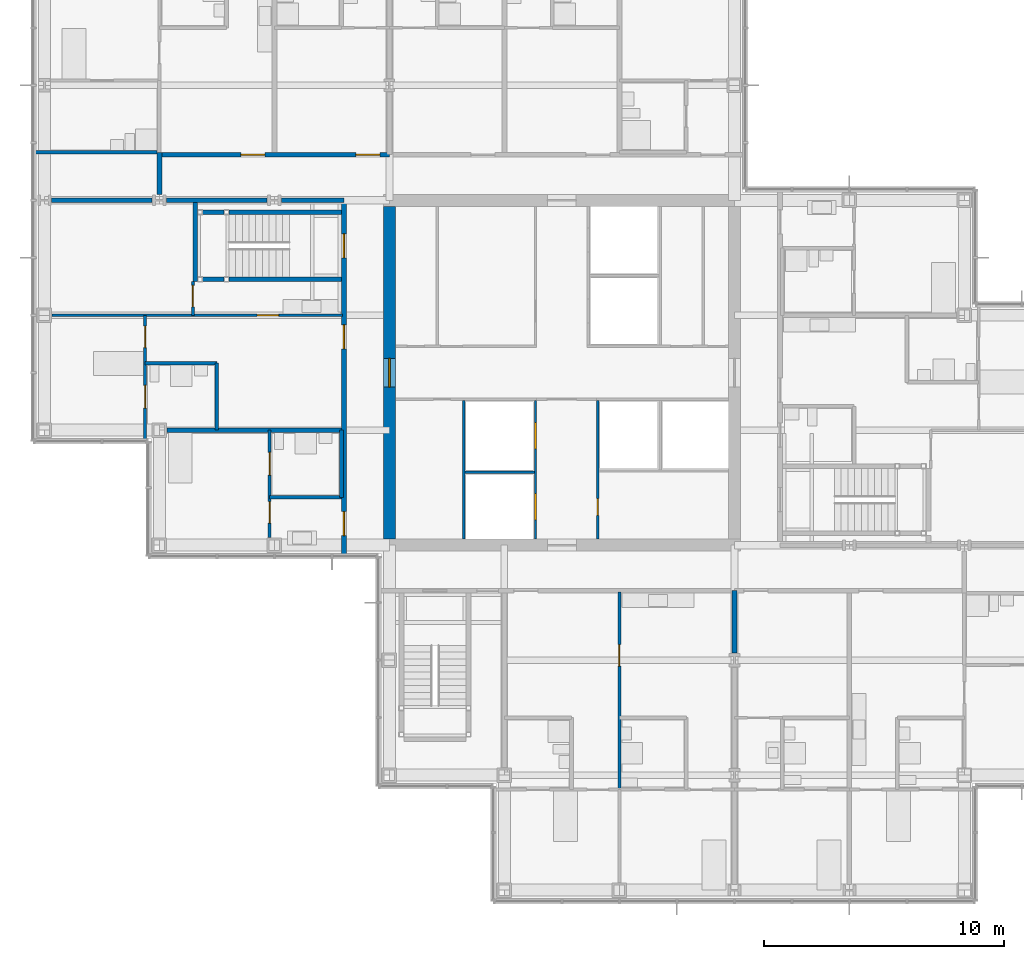
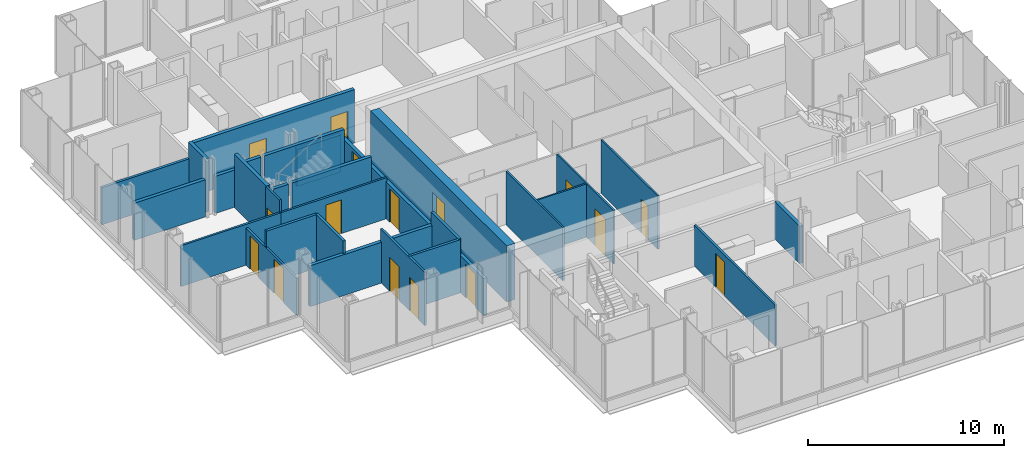
# One storey, part 14 of 20: 29 walls, 16 doors, 16 openings.
"""IFC4 building model written with IfcOpenShell, lengths in metres."""

from ifc_helpers import new_model, si_unit, direction, frame, frame_2d, origin, place, context, subcontext, project, spatial, rectangle, extrude, material, layer, layer_set, type_object, element, fill, save


model = new_model("IFC4")

# Units and contexts
model_context = context("Model", 3, precision=1e-05, world=origin(), true_north=direction((0.0, 1.0)))
body_context = subcontext(model_context, "Body", "Model", "MODEL_VIEW")
ifc_project = project(units=[si_unit("LENGTHUNIT", "METRE"), si_unit("AREAUNIT", "SQUARE_METRE"), si_unit("VOLUMEUNIT", "CUBIC_METRE"), si_unit("PLANEANGLEUNIT", "RADIAN"), si_unit("MASSUNIT", "GRAM", prefix="KILO")], contexts=[model_context])

# Site, building, storey
site_placement = place(None, origin())
site = spatial("IfcSite", under=ifc_project, at=site_placement, CompositionType="ELEMENT")
building_placement = place(site_placement, origin())
building = spatial("IfcBuilding", under=site, at=building_placement, Name="Kvirike Care Tower", CompositionType="ELEMENT")
storey_placement = place(building_placement, frame((0.0, 0.0, 115.5)))
storey = spatial("IfcBuildingStorey", under=building, at=storey_placement, Name="L31", CompositionType="ELEMENT", Elevation=115.5)

# Walls
ifc_material_1 = material(Name="Moisture-resistant board partition", Category="gypsum")
ifc_layer_1 = layer(ifc_material_1, 0.14990234375)
ifc_layer_set_1 = layer_set([ifc_layer_1], Name="BATHROOM WALL 150")
wall_type_1 = type_object("IfcWallType", Name="BATHROOM WALL 150", PredefinedType="PARTITIONING", material=ifc_layer_set_1)
wall_1_placement = place(storey_placement, frame((4.199951171875, 36.39990234375, 0.0), z_axis=(0.0, 0.0, 1.0), x_axis=(1.0, 0.0, 0.0)))
element("IfcWall", 1, at=wall_1_placement, inside=storey, type_object=wall_type_1, Name="Bathroom Wall 150 L31", PredefinedType="PARTITIONING", context=body_context, shape_type="SweptSolid", body=[
    extrude(rectangle(XDim=3.0, YDim=0.14990234375, at=frame_2d((1.5, 0.0))), origin(), (0.0, 0.0, 1.0), 3.330078125),
])
wall_2_placement = place(storey_placement, frame((7.199951171875, 36.39990234375, 0.0), z_axis=(0.0, 0.0, 1.0), x_axis=(0.0, -1.0, 0.0)))
element("IfcWall", 2, at=wall_2_placement, inside=storey, type_object=wall_type_1, Name="Bathroom Wall 150 L31", PredefinedType="PARTITIONING", context=body_context, shape_type="SweptSolid", body=[
    extrude(rectangle(XDim=2.7998046875, YDim=0.14990234375, at=frame_2d((1.39990234375, 0.0))), origin(), (0.0, 0.0, 1.0), 3.330078125),
])
wall_3_placement = place(storey_placement, frame((9.39990234375, 30.800048828125, 0.0), z_axis=(0.0, 0.0, 1.0), x_axis=(1.0, 0.0, 0.0)))
element("IfcWall", 3, at=wall_3_placement, inside=storey, type_object=wall_type_1, Name="Bathroom Wall 150 L31", PredefinedType="PARTITIONING", context=body_context, shape_type="SweptSolid", body=[
    extrude(rectangle(XDim=3.0, YDim=0.14990234375, at=frame_2d((1.5, 0.0))), origin(), (0.0, 0.0, 1.0), 3.330078125),
])
wall_4_placement = place(storey_placement, frame((12.39990234375, 33.60009765625, 0.0), z_axis=(0.0, 0.0, 1.0), x_axis=(0.0, -1.0, 0.0)))
element("IfcWall", 4, at=wall_4_placement, inside=storey, type_object=wall_type_1, Name="Bathroom Wall 150 L31", PredefinedType="PARTITIONING", context=body_context, shape_type="SweptSolid", body=[
    extrude(rectangle(XDim=2.800048828125, YDim=0.14990234375, at=frame_2d((1.39990234375, 0.0))), origin(), (0.0, 0.0, 1.0), 3.330078125),
])
wall_5_placement = place(storey_placement, frame((4.699951171875, 45.199951171875, 0.0), z_axis=(0.0, 0.0, 1.0), x_axis=(-1.0, 0.0, 0.0)))
element("IfcWall", 5, at=wall_5_placement, inside=storey, type_object=wall_type_1, Name="Bathroom Wall 150 L31", PredefinedType="PARTITIONING", context=body_context, shape_type="SweptSolid", body=[
    extrude(rectangle(XDim=5.139892578125, YDim=0.14990234375, at=frame_2d((2.56982421875, 0.0))), origin(), (0.0, 0.0, 1.0), 2.320068359375),
])

# Wall, opening, door
ifc_material_2 = material(Name="Concrete C50/60", Category="concrete")
ifc_layer_2 = layer(ifc_material_2, 0.5)
ifc_layer_set_2 = layer_set([ifc_layer_2], Name="CORE WALL 500 C50-60")
wall_type_2 = type_object("IfcWallType", Name="CORE WALL 500 C50-60", PredefinedType="SHEAR", material=ifc_layer_set_2)
wall_6_placement = place(storey_placement, frame((14.39990234375, 42.949951171875, -0.169921875), z_axis=(0.0, 0.0, 1.0), x_axis=(0.0, -1.0, 0.0)))
wall_6 = element("IfcWall", 6, at=wall_6_placement, inside=storey, type_object=wall_type_2, Name="Core wall W L31", PredefinedType="SHEAR", context=body_context, shape_type="SweptSolid", body=[
    extrude(rectangle(XDim=13.89990234375, YDim=0.5, at=frame_2d((6.949951171875, 0.0))), origin(), (0.0, 0.0, 1.0), 3.5),
])
opening_1_placement = place(wall_6_placement, frame((6.35009765625, 0.0, 0.169921875)))
opening_1 = element("IfcOpeningElement", 7, at=opening_1_placement, cuts=wall_6, Name="Opening 31-069", PredefinedType="OPENING", context=body_context, shape_type="SweptSolid", body=[
    extrude(rectangle(XDim=1.199951171875, YDim=2.10009765625, at=frame_2d((0.60009765625, 1.050048828125))), frame((0.0, 0.260498046875, 0.0), z_axis=(0.0, -1.0, 0.0), x_axis=(1.0, 0.0, 0.0)), (0.0, 0.0, 1.0), 0.52099609375),
])
ifc_material_3 = material(Name="Timber door set", Category="wood")
door_type_1 = type_object("IfcDoorType", Name="CORE DOOR 1200", OperationType="SINGLE_SWING_LEFT", PredefinedType="DOOR", material=ifc_material_3)
door_1_placement = place(opening_1_placement, origin())
door_1 = element("IfcDoor", 8, at=door_1_placement, inside=storey, type_object=door_type_1, Name="Core door W L31", OperationType="SINGLE_SWING_LEFT", OverallHeight=2.10009765625, OverallWidth=1.199951171875, PredefinedType="DOOR", context=body_context, shape_type="SweptSolid", body=[
    extrude(rectangle(XDim=1.199951171875, YDim=2.10009765625, at=frame_2d((0.60009765625, 1.050048828125))), frame((0.0, 0.02685546875, 0.0), z_axis=(0.0, -1.0, 0.0), x_axis=(1.0, 0.0, 0.0)), (0.0, 0.0, 1.0), 0.053955078125),
])
fill(opening_1, door_1)

# Wall, openings, doors
ifc_material_4 = material(Name="Plasterboard corridor wall", Category="gypsum")
ifc_layer_3 = layer(ifc_material_4, 0.199951171875)
ifc_layer_set_3 = layer_set([ifc_layer_3], Name="CORRIDOR WALL 200")
wall_type_3 = type_object("IfcWallType", Name="CORRIDOR WALL 200", PredefinedType="PARTITIONING", material=ifc_layer_set_3)
wall_7_placement = place(storey_placement, frame((12.5, 43.199951171875, 0.0), z_axis=(0.0, 0.0, 1.0), x_axis=(0.0, -1.0, 0.0)))
wall_7 = element("IfcWall", 9, at=wall_7_placement, inside=storey, type_object=wall_type_3, Name="Corridor Wall 200 L31", PredefinedType="PARTITIONING", context=body_context, shape_type="SweptSolid", body=[
    extrude(rectangle(XDim=14.83984375, YDim=0.199951171875, at=frame_2d((7.419921875, 0.0))), origin(), (0.0, 0.0, 1.0), 2.320068359375),
])
opening_2_placement = place(wall_7_placement, frame((1.39990234375, 0.0, 0.0)))
opening_2 = element("IfcOpeningElement", 10, at=opening_2_placement, cuts=wall_7, Name="Opening 31-007", PredefinedType="OPENING", context=body_context, shape_type="SweptSolid", body=[
    extrude(rectangle(XDim=1.0, YDim=2.10009765625, at=frame_2d((0.5, 1.050048828125))), frame((0.0, 0.110595703125, 0.0), z_axis=(0.0, -1.0, 0.0), x_axis=(1.0, 0.0, 0.0)), (0.0, 0.0, 1.0), 0.220947265625),
])
opening_3_placement = place(wall_7_placement, frame((5.199951171875, 0.0, 0.0)))
opening_3 = element("IfcOpeningElement", 11, at=opening_3_placement, cuts=wall_7, Name="Opening 31-008", PredefinedType="OPENING", context=body_context, shape_type="SweptSolid", body=[
    extrude(rectangle(XDim=1.0, YDim=2.10009765625, at=frame_2d((0.5, 1.050048828125))), frame((0.0, 0.110595703125, 0.0), z_axis=(0.0, -1.0, 0.0), x_axis=(1.0, 0.0, 0.0)), (0.0, 0.0, 1.0), 0.220947265625),
])
opening_4_placement = place(wall_7_placement, frame((13.0, 0.0, 0.0)))
opening_4 = element("IfcOpeningElement", 12, at=opening_4_placement, cuts=wall_7, Name="Opening 31-009", PredefinedType="OPENING", context=body_context, shape_type="SweptSolid", body=[
    extrude(rectangle(XDim=1.0, YDim=2.10009765625, at=frame_2d((0.5, 1.050048828125))), frame((0.0, 0.110595703125, 0.0), z_axis=(0.0, -1.0, 0.0), x_axis=(1.0, 0.0, 0.0)), (0.0, 0.0, 1.0), 0.220947265625),
])
ifc_material_5 = material(Name="Timber door set", Category="wood")
door_type_2 = type_object("IfcDoorType", Name="FLAT ENTRANCE DOOR 1000", OperationType="SINGLE_SWING_LEFT", PredefinedType="DOOR", material=ifc_material_5)
door_2_placement = place(opening_3_placement, frame((1.0, 0.0, 0.0), z_axis=(0.0, 0.0, 1.0), x_axis=(-1.0, 0.0, 0.0)))
door_2 = element("IfcDoor", 13, at=door_2_placement, inside=storey, type_object=door_type_2, Name="Assisted living suite entrance", OperationType="SINGLE_SWING_LEFT", OverallHeight=2.10009765625, OverallWidth=1.0, PredefinedType="DOOR", context=body_context, shape_type="SweptSolid", body=[
    extrude(rectangle(XDim=1.0, YDim=2.10009765625, at=frame_2d((0.5, 1.050048828125))), frame((0.0, 0.02685546875, 0.0), z_axis=(0.0, -1.0, 0.0), x_axis=(1.0, 0.0, 0.0)), (0.0, 0.0, 1.0), 0.053955078125),
])
fill(opening_3, door_2)
door_3_placement = place(opening_4_placement, frame((1.0, 0.0, 0.0), z_axis=(0.0, 0.0, 1.0), x_axis=(-1.0, 0.0, 0.0)))
door_3 = element("IfcDoor", 14, at=door_3_placement, inside=storey, type_object=door_type_2, Name="Assisted living suite entrance", OperationType="SINGLE_SWING_RIGHT", OverallHeight=2.10009765625, OverallWidth=1.0, PredefinedType="DOOR", context=body_context, shape_type="SweptSolid", body=[
    extrude(rectangle(XDim=1.0, YDim=2.10009765625, at=frame_2d((0.5, 1.050048828125))), frame((0.0, 0.02685546875, 0.0), z_axis=(0.0, -1.0, 0.0), x_axis=(1.0, 0.0, 0.0)), (0.0, 0.0, 1.0), 0.053955078125),
])
fill(opening_4, door_3)
ifc_material_6 = material(Name="Timber door set", Category="wood")
door_type_3 = type_object("IfcDoorType", Name="STAIR DOOR 1000", OperationType="SINGLE_SWING_LEFT", PredefinedType="DOOR", material=ifc_material_6)
door_4_placement = place(opening_2_placement, frame((1.0, 0.0, 0.0), z_axis=(0.0, 0.0, 1.0), x_axis=(-1.0, 0.0, 0.0)))
door_4 = element("IfcDoor", 15, at=door_4_placement, inside=storey, type_object=door_type_3, Name="Stair 1 door", OperationType="SINGLE_SWING_LEFT", OverallHeight=2.10009765625, OverallWidth=1.0, PredefinedType="DOOR", context=body_context, shape_type="SweptSolid", body=[
    extrude(rectangle(XDim=1.0, YDim=2.10009765625, at=frame_2d((0.5, 1.050048828125))), frame((0.0, 0.031982421875, 0.0), z_axis=(0.0, -1.0, 0.0), x_axis=(1.0, 0.0, 0.0)), (0.0, 0.0, 1.0), 0.06396484375),
])
fill(opening_2, door_4)

wall_8_placement = place(storey_placement, frame((14.39990234375, 45.10009765625, 0.0), z_axis=(0.0, 0.0, 1.0), x_axis=(-1.0, 0.0, 0.0)))
wall_8 = element("IfcWall", 16, at=wall_8_placement, inside=storey, type_object=wall_type_3, Name="Corridor Wall 200 L31", PredefinedType="PARTITIONING", context=body_context, shape_type="SweptSolid", body=[
    extrude(rectangle(XDim=9.599853515625, YDim=0.199951171875, at=frame_2d((4.7998046875, 0.0))), origin(), (0.0, 0.0, 1.0), 3.330078125),
])
opening_5_placement = place(wall_8_placement, frame((0.39990234375, 0.0, 0.0)))
opening_5 = element("IfcOpeningElement", 17, at=opening_5_placement, cuts=wall_8, Name="Opening 31-017", PredefinedType="OPENING", context=body_context, shape_type="SweptSolid", body=[
    extrude(rectangle(XDim=1.0, YDim=2.10009765625, at=frame_2d((0.5, 1.050048828125))), frame((0.0, 0.110595703125, 0.0), z_axis=(0.0, -1.0, 0.0), x_axis=(1.0, 0.0, 0.0)), (0.0, 0.0, 1.0), 0.220947265625),
])
opening_6_placement = place(wall_8_placement, frame((5.199951171875, 0.0, 0.0)))
opening_6 = element("IfcOpeningElement", 18, at=opening_6_placement, cuts=wall_8, Name="Opening 31-018", PredefinedType="OPENING", context=body_context, shape_type="SweptSolid", body=[
    extrude(rectangle(XDim=1.0, YDim=2.10009765625, at=frame_2d((0.5, 1.050048828125))), frame((0.0, 0.110595703125, 0.0), z_axis=(0.0, -1.0, 0.0), x_axis=(1.0, 0.0, 0.0)), (0.0, 0.0, 1.0), 0.220947265625),
])
door_5_placement = place(opening_5_placement, frame((1.0, 0.0, 0.0), z_axis=(0.0, 0.0, 1.0), x_axis=(-1.0, 0.0, 0.0)))
door_5 = element("IfcDoor", 19, at=door_5_placement, inside=storey, type_object=door_type_2, Name="Assisted living suite entrance", OperationType="SINGLE_SWING_LEFT", OverallHeight=2.10009765625, OverallWidth=1.0, PredefinedType="DOOR", context=body_context, shape_type="SweptSolid", body=[
    extrude(rectangle(XDim=1.0, YDim=2.10009765625, at=frame_2d((0.5, 1.050048828125))), frame((0.0, 0.02685546875, 0.0), z_axis=(0.0, -1.0, 0.0), x_axis=(1.0, 0.0, 0.0)), (0.0, 0.0, 1.0), 0.053955078125),
])
fill(opening_5, door_5)
door_6_placement = place(opening_6_placement, frame((1.0, 0.0, 0.0), z_axis=(0.0, 0.0, 1.0), x_axis=(-1.0, 0.0, 0.0)))
door_6 = element("IfcDoor", 20, at=door_6_placement, inside=storey, type_object=door_type_2, Name="Two-bedroom assisted living suite entrance", OperationType="SINGLE_SWING_LEFT", OverallHeight=2.10009765625, OverallWidth=1.0, PredefinedType="DOOR", context=body_context, shape_type="SweptSolid", body=[
    extrude(rectangle(XDim=1.0, YDim=2.10009765625, at=frame_2d((0.5, 1.050048828125))), frame((0.0, 0.02685546875, 0.0), z_axis=(0.0, -1.0, 0.0), x_axis=(1.0, 0.0, 0.0)), (0.0, 0.0, 1.0), 0.053955078125),
])
fill(opening_6, door_6)

# Wall
wall_9_placement = place(storey_placement, frame((4.800048828125, 45.199951171875, 0.0), z_axis=(0.0, 0.0, 1.0), x_axis=(0.0, -1.0, 0.0)))
element("IfcWall", 21, at=wall_9_placement, inside=storey, type_object=wall_type_3, Name="Corridor Wall 200 L31", PredefinedType="PARTITIONING", context=body_context, shape_type="SweptSolid", body=[
    extrude(rectangle(XDim=1.7529296875, YDim=0.199951171875, at=frame_2d((0.87646484375, 0.0))), origin(), (0.0, 0.0, 1.0), 3.330078125),
])

# Wall, opening, door
ifc_material_7 = material(Name="Plasterboard partition", Category="gypsum")
ifc_layer_4 = layer(ifc_material_7, 0.1201171875)
ifc_layer_set_4 = layer_set([ifc_layer_4], Name="PARTITION 120")
wall_type_4 = type_object("IfcWallType", Name="PARTITION 120", PredefinedType="PARTITIONING", material=ifc_layer_set_4)
wall_10_placement = place(storey_placement, frame((6.199951171875, 38.39990234375, 0.0), z_axis=(0.0, 0.0, 1.0), x_axis=(1.0, 0.0, 0.0)))
wall_10 = element("IfcWall", 22, at=wall_10_placement, inside=storey, type_object=wall_type_4, Name="Partition 120 L31", PredefinedType="PARTITIONING", context=body_context, shape_type="SweptSolid", body=[
    extrude(rectangle(XDim=6.25, YDim=0.1201171875, at=frame_2d((3.125, 0.0))), origin(), (0.0, 0.0, 1.0), 2.550048828125),
])
opening_7_placement = place(wall_10_placement, frame((2.675048828125, 0.0, 0.0)))
opening_7 = element("IfcOpeningElement", 23, at=opening_7_placement, cuts=wall_10, Name="Opening 31-001", PredefinedType="OPENING", context=body_context, shape_type="SweptSolid", body=[
    extrude(rectangle(XDim=0.89990234375, YDim=2.10009765625, at=frame_2d((0.449951171875, 1.050048828125))), frame((0.0, 0.070556640625, 0.0), z_axis=(0.0, -1.0, 0.0), x_axis=(1.0, 0.0, 0.0)), (0.0, 0.0, 1.0), 0.14111328125),
])
ifc_material_8 = material(Name="Timber door set", Category="wood")
door_type_4 = type_object("IfcDoorType", Name="INTERNAL DOOR 900", OperationType="SINGLE_SWING_LEFT", PredefinedType="DOOR", material=ifc_material_8)
door_7_placement = place(opening_7_placement, origin())
door_7 = element("IfcDoor", 24, at=door_7_placement, inside=storey, type_object=door_type_4, Name="Hall door", OperationType="SINGLE_SWING_RIGHT", OverallHeight=2.10009765625, OverallWidth=0.89990234375, PredefinedType="DOOR", context=body_context, shape_type="SweptSolid", body=[
    extrude(rectangle(XDim=0.89990234375, YDim=2.10009765625, at=frame_2d((0.449951171875, 1.050048828125))), frame((0.0, 0.02197265625, 0.0), z_axis=(0.0, -1.0, 0.0), x_axis=(1.0, 0.0, 0.0)), (0.0, 0.0, 1.0), 0.0439453125),
])
fill(opening_7, door_7)

wall_11_placement = place(storey_placement, frame((6.199951171875, 39.800048828125, 0.0), z_axis=(0.0, 0.0, 1.0), x_axis=(0.0, -1.0, 0.0)))
wall_11 = element("IfcWall", 25, at=wall_11_placement, inside=storey, type_object=wall_type_4, Name="Partition 120 L31", PredefinedType="PARTITIONING", context=body_context, shape_type="SweptSolid", body=[
    extrude(rectangle(XDim=1.400146484375, YDim=0.1201171875, at=frame_2d((0.7001953125, 0.0))), origin(), (0.0, 0.0, 1.0), 3.330078125),
])
opening_8_placement = place(wall_11_placement, frame((0.14990234375, 0.0, 0.0)))
opening_8 = element("IfcOpeningElement", 26, at=opening_8_placement, cuts=wall_11, Name="Opening 31-002", PredefinedType="OPENING", context=body_context, shape_type="SweptSolid", body=[
    extrude(rectangle(XDim=0.89990234375, YDim=2.10009765625, at=frame_2d((0.449951171875, 1.050048828125))), frame((0.0, 0.070556640625, 0.0), z_axis=(0.0, -1.0, 0.0), x_axis=(1.0, 0.0, 0.0)), (0.0, 0.0, 1.0), 0.14111328125),
])
door_8_placement = place(opening_8_placement, origin())
door_8 = element("IfcDoor", 27, at=door_8_placement, inside=storey, type_object=door_type_4, Name="Suite sitting room door", OperationType="SINGLE_SWING_RIGHT", OverallHeight=2.10009765625, OverallWidth=0.89990234375, PredefinedType="DOOR", context=body_context, shape_type="SweptSolid", body=[
    extrude(rectangle(XDim=0.89990234375, YDim=2.10009765625, at=frame_2d((0.449951171875, 1.050048828125))), frame((0.0, 0.02197265625, 0.0), z_axis=(0.0, -1.0, 0.0), x_axis=(1.0, 0.0, 0.0)), (0.0, 0.0, 1.0), 0.0439453125),
])
fill(opening_8, door_8)

# Wall, openings, doors
wall_12_placement = place(storey_placement, frame((4.199951171875, 38.39990234375, 0.0), z_axis=(0.0, 0.0, 1.0), x_axis=(0.0, -1.0, 0.0)))
wall_12 = element("IfcWall", 28, at=wall_12_placement, inside=storey, type_object=wall_type_4, Name="Partition 120 L31", PredefinedType="PARTITIONING", context=body_context, shape_type="SweptSolid", body=[
    extrude(rectangle(XDim=5.239990234375, YDim=0.1201171875, at=frame_2d((2.6201171875, 0.0))), origin(), (0.0, 0.0, 1.0), 2.320068359375),
])
opening_9_placement = place(wall_12_placement, frame((0.449951171875, 0.0, 0.0)))
opening_9 = element("IfcOpeningElement", 29, at=opening_9_placement, cuts=wall_12, Name="Opening 31-003", PredefinedType="OPENING", context=body_context, shape_type="SweptSolid", body=[
    extrude(rectangle(XDim=0.89990234375, YDim=2.10009765625, at=frame_2d((0.449951171875, 1.050048828125))), frame((0.0, 0.070556640625, 0.0), z_axis=(0.0, -1.0, 0.0), x_axis=(1.0, 0.0, 0.0)), (0.0, 0.0, 1.0), 0.14111328125),
])
opening_10_placement = place(wall_12_placement, frame((2.925048828125, 0.0, 0.0)))
opening_10 = element("IfcOpeningElement", 30, at=opening_10_placement, cuts=wall_12, Name="Opening 31-004", PredefinedType="OPENING", context=body_context, shape_type="SweptSolid", body=[
    extrude(rectangle(XDim=0.949951171875, YDim=2.10009765625, at=frame_2d((0.47509765625, 1.050048828125))), frame((0.0, 0.070556640625, 0.0), z_axis=(0.0, -1.0, 0.0), x_axis=(1.0, 0.0, 0.0)), (0.0, 0.0, 1.0), 0.14111328125),
])
ifc_material_9 = material(Name="Timber door set", Category="wood")
door_type_5 = type_object("IfcDoorType", Name="EN-SUITE SLIDING DOOR 950", OperationType="SLIDING_TO_LEFT", PredefinedType="DOOR", material=ifc_material_9)
door_9_placement = place(opening_10_placement, origin())
door_9 = element("IfcDoor", 31, at=door_9_placement, inside=storey, type_object=door_type_5, Name="En-suite door", OperationType="SLIDING_TO_RIGHT", OverallHeight=2.10009765625, OverallWidth=0.949951171875, PredefinedType="DOOR", context=body_context, shape_type="SweptSolid", body=[
    extrude(rectangle(XDim=0.949951171875, YDim=2.10009765625, at=frame_2d((0.47509765625, 1.050048828125))), frame((0.0, 0.02197265625, 0.0), z_axis=(0.0, -1.0, 0.0), x_axis=(1.0, 0.0, 0.0)), (0.0, 0.0, 1.0), 0.0439453125),
])
fill(opening_10, door_9)
door_10_placement = place(opening_9_placement, frame((0.89990234375, 0.0, 0.0), z_axis=(0.0, 0.0, 1.0), x_axis=(-1.0, 0.0, 0.0)))
door_10 = element("IfcDoor", 32, at=door_10_placement, inside=storey, type_object=door_type_4, Name="Assisted living suite door", OperationType="SINGLE_SWING_LEFT", OverallHeight=2.10009765625, OverallWidth=0.89990234375, PredefinedType="DOOR", context=body_context, shape_type="SweptSolid", body=[
    extrude(rectangle(XDim=0.89990234375, YDim=2.10009765625, at=frame_2d((0.449951171875, 1.050048828125))), frame((0.0, 0.02197265625, 0.0), z_axis=(0.0, -1.0, 0.0), x_axis=(1.0, 0.0, 0.0)), (0.0, 0.0, 1.0), 0.0439453125),
])
fill(opening_9, door_10)

# Wall
wall_13_placement = place(storey_placement, frame((0.320068359375, 38.39990234375, 0.0), z_axis=(0.0, 0.0, 1.0), x_axis=(1.0, 0.0, 0.0)))
element("IfcWall", 33, at=wall_13_placement, inside=storey, type_object=wall_type_4, Name="Partition 120 L31", PredefinedType="PARTITIONING", context=body_context, shape_type="SweptSolid", body=[
    extrude(rectangle(XDim=5.8798828125, YDim=0.1201171875, at=frame_2d((2.93994140625, 0.0))), origin(), (0.0, 0.0, 1.0), 2.550048828125),
])

# Wall, openings, doors
wall_14_placement = place(storey_placement, frame((9.39990234375, 33.60009765625, 0.0), z_axis=(0.0, 0.0, 1.0), x_axis=(0.0, -1.0, 0.0)))
wall_14 = element("IfcWall", 34, at=wall_14_placement, inside=storey, type_object=wall_type_4, Name="Partition 120 L31", PredefinedType="PARTITIONING", context=body_context, shape_type="SweptSolid", body=[
    extrude(rectangle(XDim=4.47998046875, YDim=0.1201171875, at=frame_2d((2.239990234375, 0.0))), origin(), (0.0, 0.0, 1.0), 3.330078125),
])
opening_11_placement = place(wall_14_placement, frame((2.97509765625, 0.0, 0.0)))
opening_11 = element("IfcOpeningElement", 35, at=opening_11_placement, cuts=wall_14, Name="Opening 31-005", PredefinedType="OPENING", context=body_context, shape_type="SweptSolid", body=[
    extrude(rectangle(XDim=0.89990234375, YDim=2.10009765625, at=frame_2d((0.449951171875, 1.050048828125))), frame((0.0, 0.070556640625, 0.0), z_axis=(0.0, -1.0, 0.0), x_axis=(1.0, 0.0, 0.0)), (0.0, 0.0, 1.0), 0.14111328125),
])
opening_12_placement = place(wall_14_placement, frame((0.925048828125, 0.0, 0.0)))
opening_12 = element("IfcOpeningElement", 36, at=opening_12_placement, cuts=wall_14, Name="Opening 31-006", PredefinedType="OPENING", context=body_context, shape_type="SweptSolid", body=[
    extrude(rectangle(XDim=0.949951171875, YDim=2.10009765625, at=frame_2d((0.47509765625, 1.050048828125))), frame((0.0, 0.070556640625, 0.0), z_axis=(0.0, -1.0, 0.0), x_axis=(1.0, 0.0, 0.0)), (0.0, 0.0, 1.0), 0.14111328125),
])
door_11_placement = place(opening_12_placement, origin())
door_11 = element("IfcDoor", 37, at=door_11_placement, inside=storey, type_object=door_type_5, Name="En-suite door", OperationType="SLIDING_TO_LEFT", OverallHeight=2.10009765625, OverallWidth=0.949951171875, PredefinedType="DOOR", context=body_context, shape_type="SweptSolid", body=[
    extrude(rectangle(XDim=0.949951171875, YDim=2.10009765625, at=frame_2d((0.47509765625, 1.050048828125))), frame((0.0, 0.02197265625, 0.0), z_axis=(0.0, -1.0, 0.0), x_axis=(1.0, 0.0, 0.0)), (0.0, 0.0, 1.0), 0.0439453125),
])
fill(opening_12, door_11)
door_12_placement = place(opening_11_placement, origin())
door_12 = element("IfcDoor", 38, at=door_12_placement, inside=storey, type_object=door_type_4, Name="Assisted living suite door", OperationType="SINGLE_SWING_RIGHT", OverallHeight=2.10009765625, OverallWidth=0.89990234375, PredefinedType="DOOR", context=body_context, shape_type="SweptSolid", body=[
    extrude(rectangle(XDim=0.89990234375, YDim=2.10009765625, at=frame_2d((0.449951171875, 1.050048828125))), frame((0.0, 0.02197265625, 0.0), z_axis=(0.0, -1.0, 0.0), x_axis=(1.0, 0.0, 0.0)), (0.0, 0.0, 1.0), 0.0439453125),
])
fill(opening_11, door_12)

# Wall, opening, door
wall_15_placement = place(storey_placement, frame((24.0, 18.60009765625, 0.0), z_axis=(0.0, 0.0, 1.0), x_axis=(0.0, 1.0, 0.0)))
wall_15 = element("IfcWall", 39, at=wall_15_placement, inside=storey, type_object=wall_type_4, Name="Partition 120 L31", PredefinedType="PARTITIONING", context=body_context, shape_type="SweptSolid", body=[
    extrude(rectangle(XDim=8.25, YDim=0.1201171875, at=frame_2d((4.125, 0.0))), origin(), (0.0, 0.0, 1.0), 2.550048828125),
])
opening_13_placement = place(wall_15_placement, frame((5.14990234375, 0.0, 0.0)))
opening_13 = element("IfcOpeningElement", 40, at=opening_13_placement, cuts=wall_15, Name="Opening 31-019", PredefinedType="OPENING", context=body_context, shape_type="SweptSolid", body=[
    extrude(rectangle(XDim=0.89990234375, YDim=2.10009765625, at=frame_2d((0.449951171875, 1.050048828125))), frame((0.0, 0.070556640625, 0.0), z_axis=(0.0, -1.0, 0.0), x_axis=(1.0, 0.0, 0.0)), (0.0, 0.0, 1.0), 0.14111328125),
])
door_13_placement = place(opening_13_placement, origin())
door_13 = element("IfcDoor", 41, at=door_13_placement, inside=storey, type_object=door_type_4, Name="Hall door", OperationType="SINGLE_SWING_LEFT", OverallHeight=2.10009765625, OverallWidth=0.89990234375, PredefinedType="DOOR", context=body_context, shape_type="SweptSolid", body=[
    extrude(rectangle(XDim=0.89990234375, YDim=2.10009765625, at=frame_2d((0.449951171875, 1.050048828125))), frame((0.0, 0.02197265625, 0.0), z_axis=(0.0, -1.0, 0.0), x_axis=(1.0, 0.0, 0.0)), (0.0, 0.0, 1.0), 0.0439453125),
])
fill(opening_13, door_13)

# Walls
ifc_material_10 = material(Name="Plasterboard party wall", Category="gypsum")
ifc_layer_5 = layer(ifc_material_10, 0.199951171875)
ifc_layer_set_5 = layer_set([ifc_layer_5], Name="PARTY WALL 200")
wall_type_5 = type_object("IfcWallType", Name="PARTY WALL 200", PredefinedType="PARTITIONING", material=ifc_layer_set_5)
wall_16_placement = place(storey_placement, frame((5.1201171875, 33.60009765625, 0.0), z_axis=(0.0, 0.0, 1.0), x_axis=(1.0, 0.0, 0.0)))
element("IfcWall", 42, at=wall_16_placement, inside=storey, type_object=wall_type_5, Name="Party Wall 200 L31", PredefinedType="PARTITIONING", context=body_context, shape_type="SweptSolid", body=[
    extrude(rectangle(XDim=7.27978515625, YDim=0.199951171875, at=frame_2d((3.639892578125, 0.0))), origin(), (0.0, 0.0, 1.0), 2.550048828125),
])
wall_17_placement = place(storey_placement, frame((12.5, 43.199951171875, 0.0), z_axis=(0.0, 0.0, 1.0), x_axis=(-1.0, 0.0, 0.0)))
element("IfcWall", 43, at=wall_17_placement, inside=storey, type_object=wall_type_5, Name="Party Wall 200 L31", PredefinedType="PARTITIONING", context=body_context, shape_type="SweptSolid", body=[
    extrude(rectangle(XDim=2.595458984375, YDim=0.199951171875, at=frame_2d((1.2978515625, 0.0))), origin(), (0.0, 0.0, 1.0), 2.320068359375),
])
wall_18_placement = place(storey_placement, frame((9.29541015625, 43.199951171875, 0.0), z_axis=(0.0, 0.0, 1.0), x_axis=(-1.0, 0.0, 0.0)))
element("IfcWall", 44, at=wall_18_placement, inside=storey, type_object=wall_type_5, Name="Party Wall 200 L31", PredefinedType="PARTITIONING", context=body_context, shape_type="SweptSolid", body=[
    extrude(rectangle(XDim=4.19091796875, YDim=0.199951171875, at=frame_2d((2.095458984375, 0.0))), origin(), (0.0, 0.0, 1.0), 2.320068359375),
])
wall_19_placement = place(storey_placement, frame((4.49560546875, 43.199951171875, 0.0), z_axis=(0.0, 0.0, 1.0), x_axis=(-1.0, 0.0, 0.0)))
element("IfcWall", 45, at=wall_19_placement, inside=storey, type_object=wall_type_5, Name="Party Wall 200 L31", PredefinedType="PARTITIONING", context=body_context, shape_type="SweptSolid", body=[
    extrude(rectangle(XDim=4.20068359375, YDim=0.199951171875, at=frame_2d((2.100341796875, 0.0))), origin(), (0.0, 0.0, 1.0), 2.320068359375),
])
wall_20_placement = place(storey_placement, frame((28.800048828125, 24.304443359375, 0.0), z_axis=(0.0, 0.0, 1.0), x_axis=(0.0, 1.0, 0.0)))
element("IfcWall", 46, at=wall_20_placement, inside=storey, type_object=wall_type_5, Name="Party Wall 200 L31", PredefinedType="PARTITIONING", context=body_context, shape_type="SweptSolid", body=[
    extrude(rectangle(XDim=2.595458984375, YDim=0.199951171875, at=frame_2d((1.2978515625, 0.0))), origin(), (0.0, 0.0, 1.0), 2.320068359375),
])

# Wall, openings, doors
ifc_material_11 = material(Name="Gypsum shaft wall system", Category="gypsum")
ifc_layer_6 = layer(ifc_material_11, 0.10009765625)
ifc_layer_set_6 = layer_set([ifc_layer_6], Name="SHAFT WALL 100")
wall_type_6 = type_object("IfcWallType", Name="SHAFT WALL 100", PredefinedType="SOLIDWALL", material=ifc_layer_set_6)
wall_21_placement = place(storey_placement, frame((20.5, 29.050048828125, 0.0), z_axis=(0.0, 0.0, 1.0), x_axis=(0.0, 1.0, 0.0)))
wall_21 = element("IfcWall", 47, at=wall_21_placement, inside=storey, type_object=wall_type_6, Name="Shaft Wall 100 L31", PredefinedType="SOLIDWALL", context=body_context, shape_type="SweptSolid", body=[
    extrude(rectangle(XDim=5.800048828125, YDim=0.10009765625, at=frame_2d((2.89990234375, 0.0))), origin(), (0.0, 0.0, 1.0), 3.330078125),
])
opening_14_placement = place(wall_21_placement, frame((0.800048828125, 0.0, 0.0)))
opening_14 = element("IfcOpeningElement", 48, at=opening_14_placement, cuts=wall_21, Name="Opening 31-056", PredefinedType="OPENING", context=body_context, shape_type="SweptSolid", body=[
    extrude(rectangle(XDim=1.10009765625, YDim=2.300048828125, at=frame_2d((0.550048828125, 1.14990234375))), frame((0.0, 0.060546875, 0.0), z_axis=(0.0, -1.0, 0.0), x_axis=(1.0, 0.0, 0.0)), (0.0, 0.0, 1.0), 0.12109375),
])
opening_15_placement = place(wall_21_placement, frame((3.77490234375, 0.0, 0.0)))
opening_15 = element("IfcOpeningElement", 49, at=opening_15_placement, cuts=wall_21, Name="Opening 31-057", PredefinedType="OPENING", context=body_context, shape_type="SweptSolid", body=[
    extrude(rectangle(XDim=1.10009765625, YDim=2.300048828125, at=frame_2d((0.550048828125, 1.14990234375))), frame((0.0, 0.060546875, 0.0), z_axis=(0.0, -1.0, 0.0), x_axis=(1.0, 0.0, 0.0)), (0.0, 0.0, 1.0), 0.12109375),
])
ifc_material_12 = material(Name="Aluminium door frame", Category="aluminium")
door_type_6 = type_object("IfcDoorType", Name="FIRE-FIGHTING LIFT LANDING DOOR 1100", OperationType="SLIDING_TO_LEFT", PredefinedType="DOOR", material=ifc_material_12)
door_14_placement = place(opening_14_placement, origin())
door_14 = element("IfcDoor", 50, at=door_14_placement, inside=storey, type_object=door_type_6, Name="Lift FF1 landing door", OperationType="SLIDING_TO_LEFT", OverallHeight=2.300048828125, OverallWidth=1.10009765625, PredefinedType="DOOR", context=body_context, shape_type="SweptSolid", body=[
    extrude(rectangle(XDim=1.10009765625, YDim=2.300048828125, at=frame_2d((0.550048828125, 1.14990234375))), frame((0.0, 0.0498046875, 0.0), z_axis=(0.0, -1.0, 0.0), x_axis=(1.0, 0.0, 0.0)), (0.0, 0.0, 1.0), 0.099609375),
])
fill(opening_14, door_14)
door_15_placement = place(opening_15_placement, origin())
door_15 = element("IfcDoor", 51, at=door_15_placement, inside=storey, type_object=door_type_6, Name="Lift FF2 landing door", OperationType="SLIDING_TO_LEFT", OverallHeight=2.300048828125, OverallWidth=1.10009765625, PredefinedType="DOOR", context=body_context, shape_type="SweptSolid", body=[
    extrude(rectangle(XDim=1.10009765625, YDim=2.300048828125, at=frame_2d((0.550048828125, 1.14990234375))), frame((0.0, 0.0498046875, 0.0), z_axis=(0.0, -1.0, 0.0), x_axis=(1.0, 0.0, 0.0)), (0.0, 0.0, 1.0), 0.099609375),
])
fill(opening_15, door_15)

# Wall, opening, door
wall_22_placement = place(storey_placement, frame((23.10009765625, 29.050048828125, 0.0), z_axis=(0.0, 0.0, 1.0), x_axis=(0.0, 1.0, 0.0)))
wall_22 = element("IfcWall", 52, at=wall_22_placement, inside=storey, type_object=wall_type_6, Name="Shaft Wall 100 L31", PredefinedType="SOLIDWALL", context=body_context, shape_type="SweptSolid", body=[
    extrude(rectangle(XDim=5.800048828125, YDim=0.10009765625, at=frame_2d((2.89990234375, 0.0))), origin(), (0.0, 0.0, 1.0), 3.330078125),
])
opening_16_placement = place(wall_22_placement, frame((1.0, 0.0, 0.0)))
opening_16 = element("IfcOpeningElement", 53, at=opening_16_placement, cuts=wall_22, Name="Opening 31-061", PredefinedType="OPENING", context=body_context, shape_type="SweptSolid", body=[
    extrude(rectangle(XDim=0.699951171875, YDim=2.10009765625, at=frame_2d((0.35009765625, 1.050048828125))), frame((0.0, 0.060546875, 0.0), z_axis=(0.0, -1.0, 0.0), x_axis=(1.0, 0.0, 0.0)), (0.0, 0.0, 1.0), 0.12109375),
])
ifc_material_13 = material(Name="Timber door set", Category="wood")
door_type_7 = type_object("IfcDoorType", Name="RISER DOOR 700", OperationType="SINGLE_SWING_LEFT", PredefinedType="DOOR", material=ifc_material_13)
door_16_placement = place(opening_16_placement, origin())
door_16 = element("IfcDoor", 54, at=door_16_placement, inside=storey, type_object=door_type_7, Name="Riser door", OperationType="SINGLE_SWING_RIGHT", OverallHeight=2.10009765625, OverallWidth=0.699951171875, PredefinedType="DOOR", context=body_context, shape_type="SweptSolid", body=[
    extrude(rectangle(XDim=0.699951171875, YDim=2.10009765625, at=frame_2d((0.35009765625, 1.050048828125))), frame((0.0, 0.02685546875, 0.0), z_axis=(0.0, -1.0, 0.0), x_axis=(1.0, 0.0, 0.0)), (0.0, 0.0, 1.0), 0.053955078125),
])
fill(opening_16, door_16)

# Walls
wall_23_placement = place(storey_placement, frame((17.5, 29.050048828125, 0.0), z_axis=(0.0, 0.0, 1.0), x_axis=(0.0, 1.0, 0.0)))
element("IfcWall", 55, at=wall_23_placement, inside=storey, type_object=wall_type_6, Name="Shaft Wall 100 L31", PredefinedType="SOLIDWALL", context=body_context, shape_type="SweptSolid", body=[
    extrude(rectangle(XDim=5.800048828125, YDim=0.10009765625, at=frame_2d((2.89990234375, 0.0))), origin(), (0.0, 0.0, 1.0), 3.330078125),
])
wall_24_placement = place(storey_placement, frame((17.550048828125, 31.85009765625, 0.0), z_axis=(0.0, 0.0, 1.0), x_axis=(1.0, 0.0, 0.0)))
element("IfcWall", 56, at=wall_24_placement, inside=storey, type_object=wall_type_6, Name="Shaft Wall 100 L31", PredefinedType="SOLIDWALL", context=body_context, shape_type="SweptSolid", body=[
    extrude(rectangle(XDim=2.89990234375, YDim=0.10009765625, at=frame_2d((1.449951171875, 0.0))), origin(), (0.0, 0.0, 1.0), 3.330078125),
])
ifc_material_14 = material(Name="Concrete C40/50", Category="concrete")
ifc_layer_7 = layer(ifc_material_14, 0.199951171875)
ifc_layer_set_7 = layer_set([ifc_layer_7], Name="STAIR WALL 200")
wall_type_7 = type_object("IfcWallType", Name="STAIR WALL 200", PredefinedType="SOLIDWALL", material=ifc_layer_set_7)
wall_25_placement = place(storey_placement, frame((6.60009765625, 42.699951171875, 0.0), z_axis=(0.0, 0.0, 1.0), x_axis=(1.0, 0.0, 0.0)))
element("IfcWall", 57, at=wall_25_placement, inside=storey, type_object=wall_type_7, Name="Stair Wall 200 L31", PredefinedType="SOLIDWALL", context=body_context, shape_type="SweptSolid", body=[
    extrude(rectangle(XDim=0.89990234375, YDim=0.199951171875, at=frame_2d((0.449951171875, 0.0))), origin(), (0.0, 0.0, 1.0), 2.989990234375),
])
wall_26_placement = place(storey_placement, frame((7.699951171875, 42.699951171875, 0.0), z_axis=(0.0, 0.0, 1.0), x_axis=(1.0, 0.0, 0.0)))
element("IfcWall", 58, at=wall_26_placement, inside=storey, type_object=wall_type_7, Name="Stair Wall 200 L31", PredefinedType="SOLIDWALL", context=body_context, shape_type="SweptSolid", body=[
    extrude(rectangle(XDim=4.699951171875, YDim=0.199951171875, at=frame_2d((2.35009765625, 0.0))), origin(), (0.0, 0.0, 1.0), 2.989990234375),
])
wall_27_placement = place(storey_placement, frame((6.60009765625, 39.89990234375, 0.0), z_axis=(0.0, 0.0, 1.0), x_axis=(1.0, 0.0, 0.0)))
element("IfcWall", 59, at=wall_27_placement, inside=storey, type_object=wall_type_7, Name="Stair Wall 200 L31", PredefinedType="SOLIDWALL", context=body_context, shape_type="SweptSolid", body=[
    extrude(rectangle(XDim=0.89990234375, YDim=0.199951171875, at=frame_2d((0.449951171875, 0.0))), origin(), (0.0, 0.0, 1.0), 2.989990234375),
])
wall_28_placement = place(storey_placement, frame((7.699951171875, 39.89990234375, 0.0), z_axis=(0.0, 0.0, 1.0), x_axis=(1.0, 0.0, 0.0)))
element("IfcWall", 60, at=wall_28_placement, inside=storey, type_object=wall_type_7, Name="Stair Wall 200 L31", PredefinedType="SOLIDWALL", context=body_context, shape_type="SweptSolid", body=[
    extrude(rectangle(XDim=4.699951171875, YDim=0.199951171875, at=frame_2d((2.35009765625, 0.0))), origin(), (0.0, 0.0, 1.0), 2.989990234375),
])
wall_29_placement = place(storey_placement, frame((6.300048828125, 43.10009765625, 0.0), z_axis=(0.0, 0.0, 1.0), x_axis=(0.0, -1.0, 0.0)))
element("IfcWall", 61, at=wall_29_placement, inside=storey, type_object=wall_type_7, Name="Stair Wall 200 L31", PredefinedType="SOLIDWALL", context=body_context, shape_type="SweptSolid", body=[
    extrude(rectangle(XDim=3.300048828125, YDim=0.199951171875, at=frame_2d((1.64990234375, 0.0))), origin(), (0.0, 0.0, 1.0), 3.330078125),
])

save(model, "model.ifc")
